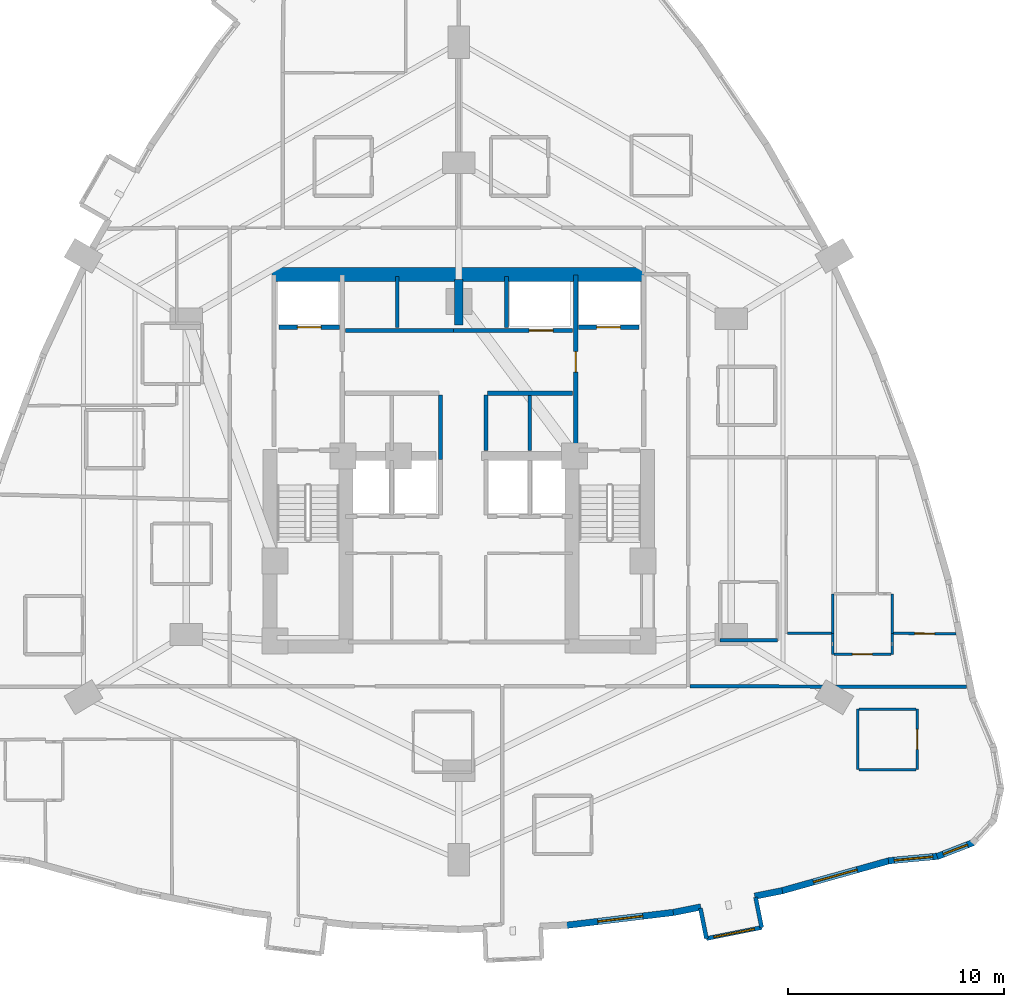
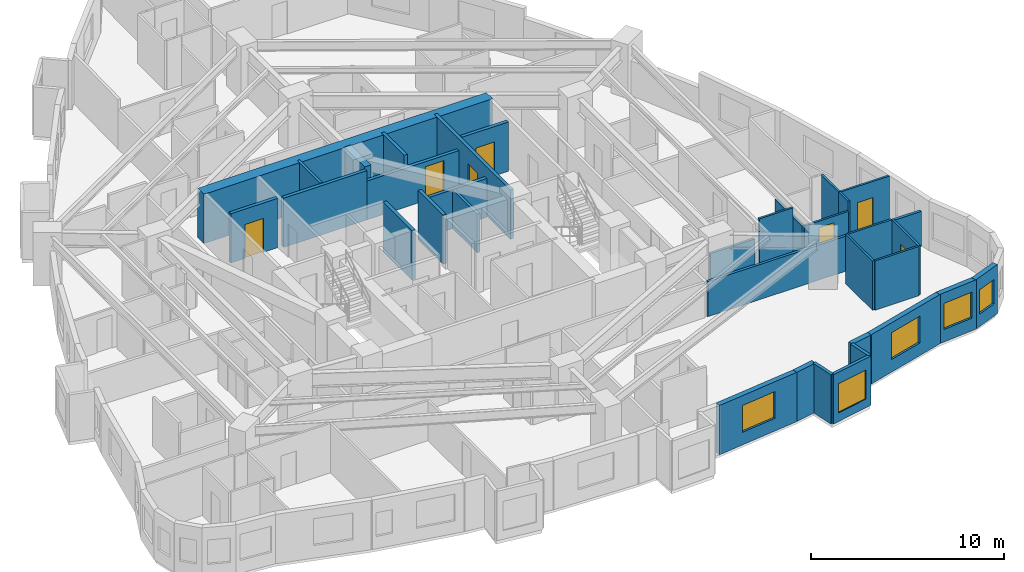
# One storey, part 11 of 15: 35 walls, 7 doors, 5 windows, 12 openings.
"""IFC4 building model written with IfcOpenShell, lengths in metres."""

from ifc_helpers import new_model, si_unit, direction, frame, frame_2d, origin, place, context, subcontext, project, spatial, rectangle, extrude, material, layer, layer_set, type_object, element, fill, save


model = new_model("IFC4")

# Units and contexts
model_context = context("Model", 3, precision=1e-05, world=origin(), true_north=direction((0.0, 1.0)))
body_context = subcontext(model_context, "Body", "Model", "MODEL_VIEW")
ifc_project = project(units=[si_unit("LENGTHUNIT", "METRE"), si_unit("AREAUNIT", "SQUARE_METRE"), si_unit("VOLUMEUNIT", "CUBIC_METRE"), si_unit("PLANEANGLEUNIT", "RADIAN"), si_unit("MASSUNIT", "GRAM", prefix="KILO")], contexts=[model_context])

# Site, building, storey
site_placement = place(None, origin())
site = spatial("IfcSite", under=ifc_project, at=site_placement, CompositionType="ELEMENT")
building_placement = place(site_placement, origin())
building = spatial("IfcBuilding", under=site, at=building_placement, Name="Miruveldt Soraemaru", CompositionType="ELEMENT")
storey_placement = place(building_placement, frame((0.0, 0.0, 36.0)))
storey = spatial("IfcBuildingStorey", under=building, at=storey_placement, Name="L09", CompositionType="ELEMENT", Elevation=36.0)

# Walls
ifc_material_1 = material(Name="White powder-coated aluminium EN AW-6060 T6", Category="aluminium")
ifc_layer_1 = layer(ifc_material_1, 0.18994140625, Name="White powder-coated aluminium EN AW-6060 T6", Category="aluminium")
ifc_layer_set_1 = layer_set([ifc_layer_1], Name="White powder-coated aluminium EN AW-6060 T6")
wall_type_1 = type_object("IfcWallType", Name="WALL-BAY-ALU190", PredefinedType="SOLIDWALL", material=ifc_layer_set_1)
for number, where, z_axis, x_axis, name in (
    (1, (55.166748046875, 23.139404296875, 0.0), (0.0, 0.0, 1.0), (0.195984352603, -0.980607022989, 0.0), "L09 Bay Window Side Cheek 6L"),
    (2, (57.99560546875, 22.251708984375, 0.0), (0.0, 0.0, 1.0), (-0.195984352603, 0.980607022989, 0.0), "L09 Bay Window Side Cheek 6R"),
):
    element("IfcWall", number, at=place(storey_placement, frame(where, z_axis=z_axis, x_axis=x_axis)), inside=storey, type_object=wall_type_1, Name=name, PredefinedType="SOLIDWALL", context=body_context, shape_type="SweptSolid", body=[
        extrude(rectangle(XDim=1.425048828125, YDim=0.18994140625, at=frame_2d((0.71240234375, 0.0))), origin(), (0.0, 0.0, 1.0), 3.125),
    ])

# Wall, opening, window
wall_1_placement = place(storey_placement, frame((55.446044921875, 21.741943359375, 0.0), z_axis=(0.0, 0.0, 1.0), x_axis=(0.980591508741, 0.196061962104, 0.0)))
wall_1 = element("IfcWall", 3, at=wall_1_placement, inside=storey, type_object=wall_type_1, Name="L09 Bay Window Front Frame 6", PredefinedType="SOLIDWALL", context=body_context, shape_type="SweptSolid", body=[
    extrude(rectangle(XDim=2.60009765625, YDim=0.18994140625, at=frame_2d((1.300048828125, 0.0))), origin(), (0.0, 0.0, 1.0), 3.125),
])
opening_1_placement = place(wall_1_placement, frame((0.35009765625, 0.0, 0.550048828125)))
opening_1 = element("IfcOpeningElement", 4, at=opening_1_placement, cuts=wall_1, Name="Opening WN-6", PredefinedType="OPENING", context=body_context, shape_type="SweptSolid", body=[
    extrude(rectangle(XDim=1.89990234375, YDim=1.85009765625, at=frame_2d((0.949951171875, 0.925048828125))), frame((0.0, 0.10498046875, 0.0), z_axis=(0.0, -1.0, 0.0), x_axis=(1.0, 0.0, 0.0)), (0.0, 0.0, 1.0), 0.2099609375),
])
ifc_material_2 = material(Name="Triple low-e insulated glazing", Category="glass")
window_type_1 = type_object("IfcWindowType", Name="WIN-BAYW-1900x1850", PartitioningType="SINGLE_PANEL", PredefinedType="WINDOW", material=ifc_material_2)
window_1_placement = place(opening_1_placement, origin())
window_1 = element("IfcWindow", 5, at=window_1_placement, inside=storey, type_object=window_type_1, Name="L09 Projecting Bay Window 6", OverallHeight=1.85009765625, OverallWidth=1.89990234375, PartitioningType="SINGLE_PANEL", PredefinedType="WINDOW", context=body_context, shape_type="SweptSolid", body=[
    extrude(rectangle(XDim=1.89990234375, YDim=1.85009765625, at=frame_2d((0.949951171875, 0.925048828125))), frame((0.0, 0.030029296875, 0.0), z_axis=(0.0, -1.0, 0.0), x_axis=(1.0, 0.0, 0.0)), (0.0, 0.0, 1.0), 0.06005859375),
])
fill(opening_1, window_1)

# Walls
ifc_material_3 = material(Name="Concrete C70/85 (70 MPa)", Category="concrete")
ifc_layer_2 = layer(ifc_material_3, 0.5, Name="Concrete C70/85 (70 MPa)", Category="concrete")
ifc_layer_set_2 = layer_set([ifc_layer_2], Name="Concrete C70/85 (70 MPa)")
wall_type_2 = type_object("IfcWallType", Name="WALL-BW-500", PredefinedType="SHEAR", material=ifc_layer_set_2)
wall_2_placement = place(storey_placement, frame((44.0, 50.10009765625, 0.0), z_axis=(0.0, 0.0, 1.0), x_axis=(0.0, 1.0, 0.0)))
element("IfcWall", 6, at=wall_2_placement, inside=storey, type_object=wall_type_2, Name="L09 Core Buttress Shear Wall BN", PredefinedType="SHEAR", context=body_context, shape_type="SweptSolid", body=[
    extrude(rectangle(XDim=2.099853515625, YDim=0.39990234375, at=frame_2d((1.0498046875, 0.0))), origin(), (0.0, 0.0, 1.0), 3.125),
])
ifc_material_4 = material(Name="Concrete C80/95 (80 MPa)", Category="concrete")
ifc_layer_3 = layer(ifc_material_4, 0.64990234375, Name="Concrete C80/95 (80 MPa)", Category="concrete")
ifc_layer_set_3 = layer_set([ifc_layer_3], Name="Concrete C80/95 (80 MPa)")
wall_type_3 = type_object("IfcWallType", Name="WALL-CW-650", PredefinedType="SHEAR", material=ifc_layer_set_3)
wall_3_placement = place(storey_placement, frame((35.35009765625, 52.449951171875, 0.0), z_axis=(0.0, 0.0, 1.0), x_axis=(1.0, 0.0, 0.0)))
element("IfcWall", 7, at=wall_3_placement, inside=storey, type_object=wall_type_3, Name="L09 Central Core Shear Wall N", PredefinedType="SHEAR", context=body_context, shape_type="SweptSolid", body=[
    extrude(rectangle(XDim=17.2998046875, YDim=0.64990234375, at=frame_2d((8.64990234375, 0.0))), origin(), (0.0, 0.0, 1.0), 3.125),
])

# Wall, opening, window
ifc_material_5 = material(Name="Precast concrete C45/55 (45 MPa)", Category="concrete")
ifc_layer_4 = layer(ifc_material_5, 0.300048828125, Name="Precast concrete C45/55 (45 MPa)", Category="concrete")
ifc_layer_set_4 = layer_set([ifc_layer_4], Name="Precast concrete C45/55 (45 MPa)")
wall_type_4 = type_object("IfcWallType", Name="WALL-EXT-PC300", PredefinedType="SOLIDWALL", material=ifc_layer_set_4)
wall_4_placement = place(storey_placement, frame((48.9375, 22.35009765625, 0.0), z_axis=(0.0, 0.0, 1.0), x_axis=(0.992877520979, 0.119139533049, 0.0)))
wall_4 = element("IfcWall", 8, at=wall_4_placement, inside=storey, type_object=wall_type_4, Name="L09 Precast Concrete Facade Wall 26", PredefinedType="SOLIDWALL", context=body_context, shape_type="SweptSolid", body=[
    extrude(rectangle(XDim=5.077880859375, YDim=0.300048828125, at=frame_2d((2.5390625, 0.0))), origin(), (0.0, 0.0, 1.0), 3.125),
])
opening_2_placement = place(wall_4_placement, frame((1.489013671875, 0.0, 0.800048828125)))
opening_2 = element("IfcOpeningElement", 9, at=opening_2_placement, cuts=wall_4, Name="Opening WN-1", PredefinedType="OPENING", context=body_context, shape_type="SweptSolid", body=[
    extrude(rectangle(XDim=2.10009765625, YDim=1.699951171875, at=frame_2d((1.050048828125, 0.85009765625))), frame((0.0, 0.16015625, 0.0), z_axis=(0.0, -1.0, 0.0), x_axis=(1.0, 0.0, 0.0)), (0.0, 0.0, 1.0), 0.320068359375),
])
window_type_2 = type_object("IfcWindowType", Name="WIN-PUNCH-2100x1700", PartitioningType="SINGLE_PANEL", PredefinedType="WINDOW", material=ifc_material_2)
window_2_placement = place(opening_2_placement, origin())
window_2 = element("IfcWindow", 10, at=window_2_placement, inside=storey, type_object=window_type_2, Name="L09 Punched Triple-Glazed Window 26.1", OverallHeight=1.699951171875, OverallWidth=2.10009765625, PartitioningType="SINGLE_PANEL", PredefinedType="WINDOW", context=body_context, shape_type="SweptSolid", body=[
    extrude(rectangle(XDim=2.10009765625, YDim=1.699951171875, at=frame_2d((1.050048828125, 0.85009765625))), frame((0.0, 0.030029296875, 0.0), z_axis=(0.0, -1.0, 0.0), x_axis=(1.0, 0.0, 0.0)), (0.0, 0.0, 1.0), 0.06005859375),
])
fill(opening_2, window_2)

# Walls
for number, where, z_axis, x_axis, name in (
    (11, (53.91015625, 22.944091796875, 0.0), (0.0, 0.0, 1.0), (0.980566231491, 0.196188342314, 0.0), "L09 Precast Pier Wall 27A"),
    (12, (57.676025390625, 23.697265625, 0.0), (0.0, 0.0, 1.0), (0.980566231491, 0.196188342314, 0.0), "L09 Precast Pier Wall 27B"),
):
    element("IfcWall", number, at=place(storey_placement, frame(where, z_axis=z_axis, x_axis=x_axis)), inside=storey, type_object=wall_type_4, Name=name, PredefinedType="SOLIDWALL", context=body_context, shape_type="SweptSolid", body=[
        extrude(rectangle(XDim=1.300537109375, YDim=0.300048828125, at=frame_2d((0.650390625, 0.0))), origin(), (0.0, 0.0, 1.0), 3.125),
    ])

# Wall, opening, window
wall_5_placement = place(storey_placement, frame((58.883056640625, 23.93603515625, 0.0), z_axis=(0.0, 0.0, 1.0), x_axis=(0.962961112649, 0.269640307679, 0.0)))
wall_5 = element("IfcWall", 13, at=wall_5_placement, inside=storey, type_object=wall_type_4, Name="L09 Precast Concrete Facade Wall 28", PredefinedType="SOLIDWALL", context=body_context, shape_type="SweptSolid", body=[
    extrude(rectangle(XDim=5.2333984375, YDim=0.300048828125, at=frame_2d((2.61669921875, 0.0))), origin(), (0.0, 0.0, 1.0), 3.125),
])
opening_3_placement = place(wall_5_placement, frame((1.56591796875, 0.0, 0.800048828125)))
opening_3 = element("IfcOpeningElement", 14, at=opening_3_placement, cuts=wall_5, Name="Opening WN-1", PredefinedType="OPENING", context=body_context, shape_type="SweptSolid", body=[
    extrude(rectangle(XDim=2.10009765625, YDim=1.699951171875, at=frame_2d((1.050048828125, 0.85009765625))), frame((0.0, 0.16015625, 0.0), z_axis=(0.0, -1.0, 0.0), x_axis=(1.0, 0.0, 0.0)), (0.0, 0.0, 1.0), 0.320068359375),
])
window_3_placement = place(opening_3_placement, origin())
window_3 = element("IfcWindow", 15, at=window_3_placement, inside=storey, type_object=window_type_2, Name="L09 Punched Triple-Glazed Window 28.1", OverallHeight=1.699951171875, OverallWidth=2.10009765625, PartitioningType="SINGLE_PANEL", PredefinedType="WINDOW", context=body_context, shape_type="SweptSolid", body=[
    extrude(rectangle(XDim=2.10009765625, YDim=1.699951171875, at=frame_2d((1.050048828125, 0.85009765625))), frame((0.0, 0.030029296875, 0.0), z_axis=(0.0, -1.0, 0.0), x_axis=(1.0, 0.0, 0.0)), (0.0, 0.0, 1.0), 0.06005859375),
])
fill(opening_3, window_3)

wall_6_placement = place(storey_placement, frame((63.85400390625, 25.33447265625, 0.0), z_axis=(0.0, 0.0, 1.0), x_axis=(0.995760200103, 0.09198708546, 0.0)))
wall_6 = element("IfcWall", 16, at=wall_6_placement, inside=storey, type_object=wall_type_4, Name="L09 Precast Concrete Facade Wall 29", PredefinedType="SOLIDWALL", context=body_context, shape_type="SweptSolid", body=[
    extrude(rectangle(XDim=2.335693359375, YDim=0.300048828125, at=frame_2d((1.16796875, 0.0))), origin(), (0.0, 0.0, 1.0), 3.125),
])
opening_4_placement = place(wall_6_placement, frame((0.26806640625, 0.0, 0.800048828125)))
opening_4 = element("IfcOpeningElement", 17, at=opening_4_placement, cuts=wall_6, Name="Opening WN-2", PredefinedType="OPENING", context=body_context, shape_type="SweptSolid", body=[
    extrude(rectangle(XDim=1.800048828125, YDim=1.64990234375, at=frame_2d((0.89990234375, 0.824951171875))), frame((0.0, 0.16015625, 0.0), z_axis=(0.0, -1.0, 0.0), x_axis=(1.0, 0.0, 0.0)), (0.0, 0.0, 1.0), 0.320068359375),
])
window_type_3 = type_object("IfcWindowType", Name="WIN-PUNCH-1800x1650", PartitioningType="SINGLE_PANEL", PredefinedType="WINDOW", material=ifc_material_2)
window_4_placement = place(opening_4_placement, origin())
window_4 = element("IfcWindow", 18, at=window_4_placement, inside=storey, type_object=window_type_3, Name="L09 Punched Triple-Glazed Window 29.1", OverallHeight=1.64990234375, OverallWidth=1.800048828125, PartitioningType="SINGLE_PANEL", PredefinedType="WINDOW", context=body_context, shape_type="SweptSolid", body=[
    extrude(rectangle(XDim=1.800048828125, YDim=1.64990234375, at=frame_2d((0.89990234375, 0.824951171875))), frame((0.0, 0.030029296875, 0.0), z_axis=(0.0, -1.0, 0.0), x_axis=(1.0, 0.0, 0.0)), (0.0, 0.0, 1.0), 0.06005859375),
])
fill(opening_4, window_4)

wall_7_placement = place(storey_placement, frame((66.1123046875, 25.533447265625, 0.0), z_axis=(0.0, 0.0, 1.0), x_axis=(0.932256673609, 0.361797587763, 0.0)))
wall_7 = element("IfcWall", 19, at=wall_7_placement, inside=storey, type_object=wall_type_4, Name="L09 Precast Concrete Facade Wall 30", PredefinedType="SOLIDWALL", context=body_context, shape_type="SweptSolid", body=[
    extrude(rectangle(XDim=1.79833984375, YDim=0.300048828125, at=frame_2d((0.899169921875, 0.0))), origin(), (0.0, 0.0, 1.0), 3.125),
])
opening_5_placement = place(wall_7_placement, frame((0.299072265625, 0.0, 0.780029296875)))
opening_5 = element("IfcOpeningElement", 20, at=opening_5_placement, cuts=wall_7, Name="Opening WN-4", PredefinedType="OPENING", context=body_context, shape_type="SweptSolid", body=[
    extrude(rectangle(XDim=1.199951171875, YDim=1.550048828125, at=frame_2d((0.60009765625, 0.77490234375))), frame((0.0, 0.16015625, 0.0), z_axis=(0.0, -1.0, 0.0), x_axis=(1.0, 0.0, 0.0)), (0.0, 0.0, 1.0), 0.320068359375),
])
window_type_4 = type_object("IfcWindowType", Name="WIN-PUNCH-1200x1550", PartitioningType="SINGLE_PANEL", PredefinedType="WINDOW", material=ifc_material_2)
window_5_placement = place(opening_5_placement, origin())
window_5 = element("IfcWindow", 21, at=window_5_placement, inside=storey, type_object=window_type_4, Name="L09 Punched Triple-Glazed Window 30.1", OverallHeight=1.550048828125, OverallWidth=1.199951171875, PartitioningType="SINGLE_PANEL", PredefinedType="WINDOW", context=body_context, shape_type="SweptSolid", body=[
    extrude(rectangle(XDim=1.199951171875, YDim=1.550048828125, at=frame_2d((0.60009765625, 0.77490234375))), frame((0.0, 0.030029296875, 0.0), z_axis=(0.0, -1.0, 0.0), x_axis=(1.0, 0.0, 0.0)), (0.0, 0.0, 1.0), 0.06005859375),
])
fill(opening_5, window_5)

# Wall, opening, door
ifc_material_6 = material(Name="Gypsum plasterboard lining", Category="gypsum")
ifc_layer_5 = layer(ifc_material_6, 0.1201171875, Name="Gypsum plasterboard lining", Category="gypsum")
ifc_layer_set_5 = layer_set([ifc_layer_5], Name="Gypsum plasterboard lining")
wall_type_5 = type_object("IfcWallType", Name="WALL-INT-P120", PredefinedType="PARTITIONING", material=ifc_layer_set_5)
wall_8_placement = place(storey_placement, frame((66.971923828125, 35.8330078125, 0.0), z_axis=(0.0, 0.0, 1.0), x_axis=(-0.999982416868, 0.005930088883, 0.0)))
wall_8 = element("IfcWall", 22, at=wall_8_placement, inside=storey, type_object=wall_type_5, Name="L09 Partition Wall 78", PredefinedType="PARTITIONING", context=body_context, shape_type="SweptSolid", body=[
    extrude(rectangle(XDim=2.8818359375, YDim=0.1201171875, at=frame_2d((1.44091796875, 0.0))), origin(), (0.0, 0.0, 1.0), 3.125),
])
opening_6_placement = place(wall_8_placement, frame((0.98095703125, 0.0, 0.0)))
opening_6 = element("IfcOpeningElement", 23, at=opening_6_placement, cuts=wall_8, Name="Opening D3A", PredefinedType="OPENING", context=body_context, shape_type="SweptSolid", body=[
    extrude(rectangle(XDim=0.919921875, YDim=2.10009765625, at=frame_2d((0.4599609375, 1.050048828125))), frame((0.0, 0.070068359375, 0.0), z_axis=(0.0, -1.0, 0.0), x_axis=(1.0, 0.0, 0.0)), (0.0, 0.0, 1.0), 0.14013671875),
])
ifc_material_7 = material(Name="Anodised aluminium EN AW-6063 T6", Category="aluminium")
door_type_1 = type_object("IfcDoorType", Name="DOOR-INT-920", OperationType="NOTDEFINED", PredefinedType="DOOR", material=ifc_material_7)
door_1_placement = place(opening_6_placement, origin())
door_1 = element("IfcDoor", 24, at=door_1_placement, inside=storey, type_object=door_type_1, Name="L09 Unit 0907 BD2 Door", OperationType="SINGLE_SWING_LEFT", OverallHeight=2.10009765625, OverallWidth=0.919921875, PredefinedType="DOOR", context=body_context, shape_type="SweptSolid", body=[
    extrude(rectangle(XDim=0.919921875, YDim=2.10009765625, at=frame_2d((0.4599609375, 1.050048828125))), frame((0.0, 0.02490234375, 0.0), z_axis=(0.0, -1.0, 0.0), x_axis=(1.0, 0.0, 0.0)), (0.0, 0.0, 1.0), 0.050048828125),
])
fill(opening_6, door_1)

wall_9_placement = place(storey_placement, frame((65.179931640625, 29.548095703125, 0.0), z_axis=(0.0, 0.0, 1.0), x_axis=(0.0, 1.0, 0.0)))
wall_9 = element("IfcWall", 25, at=wall_9_placement, inside=storey, type_object=wall_type_5, Name="L09 Partition Wall 103", PredefinedType="PARTITIONING", context=body_context, shape_type="SweptSolid", body=[
    extrude(rectangle(XDim=2.7998046875, YDim=0.1201171875, at=frame_2d((1.39990234375, 0.0))), origin(), (0.0, 0.0, 1.0), 3.125),
])
opening_7_placement = place(wall_9_placement, frame((0.93994140625, 0.0, 0.0)))
opening_7 = element("IfcOpeningElement", 26, at=opening_7_placement, cuts=wall_9, Name="Opening D3A", PredefinedType="OPENING", context=body_context, shape_type="SweptSolid", body=[
    extrude(rectangle(XDim=0.919921875, YDim=2.10009765625, at=frame_2d((0.4599609375, 1.050048828125))), frame((0.0, 0.070068359375, 0.0), z_axis=(0.0, -1.0, 0.0), x_axis=(1.0, 0.0, 0.0)), (0.0, 0.0, 1.0), 0.14013671875),
])
door_2_placement = place(opening_7_placement, origin())
door_2 = element("IfcDoor", 27, at=door_2_placement, inside=storey, type_object=door_type_1, Name="L09 Unit CL09 KIT Door", OperationType="SINGLE_SWING_LEFT", OverallHeight=2.10009765625, OverallWidth=0.919921875, PredefinedType="DOOR", context=body_context, shape_type="SweptSolid", body=[
    extrude(rectangle(XDim=0.919921875, YDim=2.10009765625, at=frame_2d((0.4599609375, 1.050048828125))), frame((0.0, 0.02490234375, 0.0), z_axis=(0.0, -1.0, 0.0), x_axis=(1.0, 0.0, 0.0)), (0.0, 0.0, 1.0), 0.050048828125),
])
fill(opening_7, door_2)

wall_10_placement = place(storey_placement, frame((61.340087890625, 34.8798828125, 0.0), z_axis=(0.0, 0.0, 1.0), x_axis=(1.0, 0.0, 0.0)))
wall_10 = element("IfcWall", 28, at=wall_10_placement, inside=storey, type_object=wall_type_5, Name="L09 Partition Wall 75", PredefinedType="PARTITIONING", context=body_context, shape_type="SweptSolid", body=[
    extrude(rectangle(XDim=2.6298828125, YDim=0.1201171875, at=frame_2d((1.31494140625, 0.0))), origin(), (0.0, 0.0, 1.0), 2.512939453125),
])
opening_8_placement = place(wall_10_placement, frame((0.85498046875, 0.0, 0.0)))
opening_8 = element("IfcOpeningElement", 29, at=opening_8_placement, cuts=wall_10, Name="Opening D3A", PredefinedType="OPENING", context=body_context, shape_type="SweptSolid", body=[
    extrude(rectangle(XDim=0.919921875, YDim=2.10009765625, at=frame_2d((0.4599609375, 1.050048828125))), frame((0.0, 0.070068359375, 0.0), z_axis=(0.0, -1.0, 0.0), x_axis=(1.0, 0.0, 0.0)), (0.0, 0.0, 1.0), 0.14013671875),
])
door_3_placement = place(opening_8_placement, origin())
door_3 = element("IfcDoor", 30, at=door_3_placement, inside=storey, type_object=door_type_1, Name="L09 Unit 0907 KIT Door", OperationType="SINGLE_SWING_LEFT", OverallHeight=2.10009765625, OverallWidth=0.919921875, PredefinedType="DOOR", context=body_context, shape_type="SweptSolid", body=[
    extrude(rectangle(XDim=0.919921875, YDim=2.10009765625, at=frame_2d((0.4599609375, 1.050048828125))), frame((0.0, 0.02490234375, 0.0), z_axis=(0.0, -1.0, 0.0), x_axis=(1.0, 0.0, 0.0)), (0.0, 0.0, 1.0), 0.050048828125),
])
fill(opening_8, door_3)

# Walls
wall_11_placement = place(storey_placement, frame((62.429931640625, 32.347900390625, 0.0), z_axis=(0.0, 0.0, 1.0), x_axis=(0.0, -1.0, 0.0)))
element("IfcWall", 31, at=wall_11_placement, inside=storey, type_object=wall_type_5, Name="L09 Partition Wall 105", PredefinedType="PARTITIONING", context=body_context, shape_type="SweptSolid", body=[
    extrude(rectangle(XDim=2.7998046875, YDim=0.1201171875, at=frame_2d((1.39990234375, 0.0))), origin(), (0.0, 0.0, 1.0), 3.125),
])
for number, where, z_axis, x_axis, name in (
    (32, (65.1201171875, 32.347900390625, 0.0), (0.0, 0.0, 1.0), (-1.0, 0.0, 0.0), "L09 Partition Wall 104"),
    (33, (62.489990234375, 29.548095703125, 0.0), (0.0, 0.0, 1.0), (1.0, 0.0, 0.0), "L09 Partition Wall 106"),
):
    element("IfcWall", number, at=place(storey_placement, frame(where, z_axis=z_axis, x_axis=x_axis)), inside=storey, type_object=wall_type_5, Name=name, PredefinedType="PARTITIONING", context=body_context, shape_type="SweptSolid", body=[
        extrude(rectangle(XDim=2.630126953125, YDim=0.1201171875, at=frame_2d((1.31494140625, 0.0))), origin(), (0.0, 0.0, 1.0), 3.125),
    ])
wall_12_placement = place(storey_placement, frame((61.219970703125, 35.85009765625, 0.0), z_axis=(0.0, 0.0, 1.0), x_axis=(-1.0, 0.0, 0.0)))
element("IfcWall", 34, at=wall_12_placement, inside=storey, type_object=wall_type_5, Name="L09 Partition Wall 76", PredefinedType="PARTITIONING", context=body_context, shape_type="SweptSolid", body=[
    extrude(rectangle(XDim=2.02392578125, YDim=0.1201171875, at=frame_2d((1.011962890625, 0.0))), origin(), (0.0, 0.0, 1.0), 3.125),
])
wall_13_placement = place(storey_placement, frame((61.280029296875, 37.679931640625, 0.0), z_axis=(0.0, 0.0, 1.0), x_axis=(0.0, -1.0, 0.0)))
element("IfcWall", 35, at=wall_13_placement, inside=storey, type_object=wall_type_5, Name="L09 Partition Wall 81", PredefinedType="PARTITIONING", context=body_context, shape_type="SweptSolid", body=[
    extrude(rectangle(XDim=1.829833984375, YDim=0.1201171875, at=frame_2d((0.9150390625, 0.0))), origin(), (0.0, 0.0, 1.0), 2.512939453125),
])
wall_14_placement = place(storey_placement, frame((64.030029296875, 35.85009765625, 0.0), z_axis=(0.0, 0.0, 1.0), x_axis=(0.0, 1.0, 0.0)))
element("IfcWall", 36, at=wall_14_placement, inside=storey, type_object=wall_type_5, Name="L09 Partition Wall 82", PredefinedType="PARTITIONING", context=body_context, shape_type="SweptSolid", body=[
    extrude(rectangle(XDim=1.829833984375, YDim=0.1201171875, at=frame_2d((0.9150390625, 0.0))), origin(), (0.0, 0.0, 1.0), 3.125),
])
wall_15_placement = place(storey_placement, frame((64.030029296875, 34.8798828125, 0.0), z_axis=(0.0, 0.0, 1.0), x_axis=(0.0, 1.0, 0.0)))
element("IfcWall", 37, at=wall_15_placement, inside=storey, type_object=wall_type_5, Name="L09 Partition Wall 73", PredefinedType="PARTITIONING", context=body_context, shape_type="SweptSolid", body=[
    extrude(rectangle(XDim=0.97021484375, YDim=0.1201171875, at=frame_2d((0.485107421875, 0.0))), origin(), (0.0, 0.0, 1.0), 3.125),
])
wall_16_placement = place(storey_placement, frame((61.280029296875, 35.85009765625, 0.0), z_axis=(0.0, 0.0, 1.0), x_axis=(0.0, -1.0, 0.0)))
element("IfcWall", 38, at=wall_16_placement, inside=storey, type_object=wall_type_5, Name="L09 Partition Wall 74", PredefinedType="PARTITIONING", context=body_context, shape_type="SweptSolid", body=[
    extrude(rectangle(XDim=0.97021484375, YDim=0.1201171875, at=frame_2d((0.485107421875, 0.0))), origin(), (0.0, 0.0, 1.0), 2.512939453125),
])
ifc_layer_6 = layer(ifc_material_6, 0.14990234375, Name="Gypsum plasterboard lining", Category="gypsum")
ifc_layer_set_6 = layer_set([ifc_layer_6], Name="Gypsum plasterboard lining")
wall_type_6 = type_object("IfcWallType", Name="WALL-INT-PLUMB", PredefinedType="PLUMBINGWALL", material=ifc_layer_set_6)
wall_17_placement = place(storey_placement, frame((56.080078125, 35.530029296875, 0.0), z_axis=(0.0, 0.0, 1.0), x_axis=(1.0, 0.0, 0.0)))
element("IfcWall", 39, at=wall_17_placement, inside=storey, type_object=wall_type_6, Name="L09 Partition Wall 72", PredefinedType="PLUMBINGWALL", context=body_context, shape_type="SweptSolid", body=[
    extrude(rectangle(XDim=2.64990234375, YDim=0.14990234375, at=frame_2d((1.324951171875, 0.0))), origin(), (0.0, 0.0, 1.0), 2.219970703125),
])
ifc_material_8 = material(Name="Concrete C40/50 (40 MPa)", Category="concrete")
ifc_layer_7 = layer(ifc_material_8, 0.159912109375, Name="Concrete C40/50 (40 MPa)", Category="concrete")
ifc_layer_set_7 = layer_set([ifc_layer_7], Name="Concrete C40/50 (40 MPa)")
wall_type_7 = type_object("IfcWallType", Name="WALL-INT-RC160", PredefinedType="SOLIDWALL", material=ifc_layer_set_7)
wall_18_placement = place(storey_placement, frame((54.679931640625, 33.39990234375, 0.0), z_axis=(0.0, 0.0, 1.0), x_axis=(0.999999133458, -0.001316466148, 0.0)))
element("IfcWall", 40, at=wall_18_placement, inside=storey, type_object=wall_type_7, Name="L09 Partition Wall 79", PredefinedType="SOLIDWALL", context=body_context, shape_type="SweptSolid", body=[
    extrude(rectangle(XDim=12.796142578125, YDim=0.159912109375, at=frame_2d((6.39794921875, 0.0))), origin(), (0.0, 0.0, 1.0), 2.219970703125),
])
wall_19_placement = place(storey_placement, frame((47.280029296875, 44.300048828125, 0.0), z_axis=(0.0, 0.0, 1.0), x_axis=(0.0, 1.0, 0.0)))
element("IfcWall", 41, at=wall_19_placement, inside=storey, type_object=wall_type_7, Name="L09 Core Compartment Wall PLM-DE", PredefinedType="SOLIDWALL", context=body_context, shape_type="SweptSolid", body=[
    extrude(rectangle(XDim=2.550048828125, YDim=0.159912109375, at=frame_2d((1.27490234375, 0.0))), origin(), (0.0, 0.0, 1.0), 2.462890625),
])
wall_20_placement = place(storey_placement, frame((41.14990234375, 49.97998046875, 0.0), z_axis=(0.0, 0.0, 1.0), x_axis=(0.0, 1.0, 0.0)))
element("IfcWall", 42, at=wall_20_placement, inside=storey, type_object=wall_type_7, Name="L09 Core Compartment Wall PLH-DIV1", PredefinedType="SOLIDWALL", context=body_context, shape_type="SweptSolid", body=[
    extrude(rectangle(XDim=2.3701171875, YDim=0.159912109375, at=frame_2d((1.18505859375, 0.0))), origin(), (0.0, 0.0, 1.0), 3.125),
])

# Wall, opening, door
ifc_layer_8 = layer(ifc_material_8, 0.199951171875, Name="Concrete C40/50 (40 MPa)", Category="concrete")
ifc_layer_set_8 = layer_set([ifc_layer_8], Name="Concrete C40/50 (40 MPa)")
wall_type_8 = type_object("IfcWallType", Name="WALL-INT-RC200", PredefinedType="SOLIDWALL", material=ifc_layer_set_8)
wall_21_placement = place(storey_placement, frame((49.39990234375, 44.5, 0.0), z_axis=(0.0, 0.0, 1.0), x_axis=(0.0, 1.0, 0.0)))
wall_21 = element("IfcWall", 43, at=wall_21_placement, inside=storey, type_object=wall_type_8, Name="L09 Core Compartment Wall FFE-IN", PredefinedType="SOLIDWALL", context=body_context, shape_type="SweptSolid", body=[
    extrude(rectangle(XDim=7.919921875, YDim=0.199951171875, at=frame_2d((3.9599609375, 0.0))), origin(), (0.0, 0.0, 1.0), 3.125),
])
opening_9_placement = place(wall_21_placement, frame((3.425048828125, 0.0, 0.0)))
opening_9 = element("IfcOpeningElement", 44, at=opening_9_placement, cuts=wall_21, Name="Opening FD2", PredefinedType="OPENING", context=body_context, shape_type="SweptSolid", body=[
    extrude(rectangle(XDim=0.949951171875, YDim=2.14990234375, at=frame_2d((0.47509765625, 1.074951171875))), frame((0.0, 0.10986328125, 0.0), z_axis=(0.0, -1.0, 0.0), x_axis=(1.0, 0.0, 0.0)), (0.0, 0.0, 1.0), 0.219970703125),
])
door_type_2 = type_object("IfcDoorType", Name="DOOR-FD2-950", OperationType="NOTDEFINED", PredefinedType="DOOR", material=ifc_material_7)
door_4_placement = place(opening_9_placement, origin())
door_4 = element("IfcDoor", 45, at=door_4_placement, inside=storey, type_object=door_type_2, Name="L09 Lift Lobby to East Fire Lobby Door", OperationType="SINGLE_SWING_LEFT", OverallHeight=2.14990234375, OverallWidth=0.949951171875, PredefinedType="DOOR", context=body_context, shape_type="SweptSolid", body=[
    extrude(rectangle(XDim=0.949951171875, YDim=2.14990234375, at=frame_2d((0.47509765625, 1.074951171875))), frame((0.0, 0.02490234375, 0.0), z_axis=(0.0, -1.0, 0.0), x_axis=(1.0, 0.0, 0.0)), (0.0, 0.0, 1.0), 0.050048828125),
])
fill(opening_9, door_4)

wall_22_placement = place(storey_placement, frame((43.75, 49.85009765625, 0.0), z_axis=(0.0, 0.0, 1.0), x_axis=(1.0, 0.0, 0.0)))
wall_22 = element("IfcWall", 46, at=wall_22_placement, inside=storey, type_object=wall_type_8, Name="L09 Core Compartment Wall ROWA-SE", PredefinedType="SOLIDWALL", context=body_context, shape_type="SweptSolid", body=[
    extrude(rectangle(XDim=5.5, YDim=0.199951171875, at=frame_2d((2.75, 0.0))), origin(), (0.0, 0.0, 1.0), 2.462890625),
])
opening_10_placement = place(wall_22_placement, frame((3.5, 0.0, 0.0)))
opening_10 = element("IfcOpeningElement", 47, at=opening_10_placement, cuts=wall_22, Name="Opening LD2", PredefinedType="OPENING", context=body_context, shape_type="SweptSolid", body=[
    extrude(rectangle(XDim=1.10009765625, YDim=2.14990234375, at=frame_2d((0.550048828125, 1.074951171875))), frame((0.0, 0.10986328125, 0.0), z_axis=(0.0, -1.0, 0.0), x_axis=(1.0, 0.0, 0.0)), (0.0, 0.0, 1.0), 0.219970703125),
])
door_type_3 = type_object("IfcDoorType", Name="DOOR-LD2-1100", OperationType="SLIDING_TO_LEFT", PredefinedType="DOOR", material=ifc_material_7)
door_5_placement = place(opening_10_placement, origin())
door_5 = element("IfcDoor", 48, at=door_5_placement, inside=storey, type_object=door_type_3, Name="L09 SL-1 Landing Door", OperationType="SLIDING_TO_LEFT", OverallHeight=2.14990234375, OverallWidth=1.10009765625, PredefinedType="DOOR", context=body_context, shape_type="SweptSolid", body=[
    extrude(rectangle(XDim=1.10009765625, YDim=2.14990234375, at=frame_2d((0.550048828125, 1.074951171875))), frame((0.0, 0.02490234375, 0.0), z_axis=(0.0, -1.0, 0.0), x_axis=(1.0, 0.0, 0.0)), (0.0, 0.0, 1.0), 0.050048828125),
])
fill(opening_10, door_5)

wall_23_placement = place(storey_placement, frame((35.679931640625, 50.0, 0.0), z_axis=(0.0, 0.0, 1.0), x_axis=(1.0, 0.0, 0.0)))
wall_23 = element("IfcWall", 49, at=wall_23_placement, inside=storey, type_object=wall_type_8, Name="L09 Core Compartment Wall FFL1-S", PredefinedType="SOLIDWALL", context=body_context, shape_type="SweptSolid", body=[
    extrude(rectangle(XDim=2.800048828125, YDim=0.199951171875, at=frame_2d((1.39990234375, 0.0))), origin(), (0.0, 0.0, 1.0), 3.125),
])
opening_11_placement = place(wall_23_placement, frame((0.85009765625, 0.0, 0.0)))
opening_11 = element("IfcOpeningElement", 50, at=opening_11_placement, cuts=wall_23, Name="Opening LD2", PredefinedType="OPENING", context=body_context, shape_type="SweptSolid", body=[
    extrude(rectangle(XDim=1.10009765625, YDim=2.14990234375, at=frame_2d((0.550048828125, 1.074951171875))), frame((0.0, 0.10986328125, 0.0), z_axis=(0.0, -1.0, 0.0), x_axis=(1.0, 0.0, 0.0)), (0.0, 0.0, 1.0), 0.219970703125),
])
door_6_placement = place(opening_11_placement, origin())
door_6 = element("IfcDoor", 51, at=door_6_placement, inside=storey, type_object=door_type_3, Name="L09 FFL-1 Landing Door", OperationType="SLIDING_TO_LEFT", OverallHeight=2.14990234375, OverallWidth=1.10009765625, PredefinedType="DOOR", context=body_context, shape_type="SweptSolid", body=[
    extrude(rectangle(XDim=1.10009765625, YDim=2.14990234375, at=frame_2d((0.550048828125, 1.074951171875))), frame((0.0, 0.02490234375, 0.0), z_axis=(0.0, -1.0, 0.0), x_axis=(1.0, 0.0, 0.0)), (0.0, 0.0, 1.0), 0.050048828125),
])
fill(opening_11, door_6)

wall_24_placement = place(storey_placement, frame((49.52001953125, 50.0, 0.0), z_axis=(0.0, 0.0, 1.0), x_axis=(1.0, 0.0, 0.0)))
wall_24 = element("IfcWall", 52, at=wall_24_placement, inside=storey, type_object=wall_type_8, Name="L09 Core Compartment Wall FFL2-S", PredefinedType="SOLIDWALL", context=body_context, shape_type="SweptSolid", body=[
    extrude(rectangle(XDim=2.800048828125, YDim=0.199951171875, at=frame_2d((1.39990234375, 0.0))), origin(), (0.0, 0.0, 1.0), 3.125),
])
opening_12_placement = place(wall_24_placement, frame((0.85009765625, 0.0, 0.0)))
opening_12 = element("IfcOpeningElement", 53, at=opening_12_placement, cuts=wall_24, Name="Opening LD2", PredefinedType="OPENING", context=body_context, shape_type="SweptSolid", body=[
    extrude(rectangle(XDim=1.10009765625, YDim=2.14990234375, at=frame_2d((0.550048828125, 1.074951171875))), frame((0.0, 0.10986328125, 0.0), z_axis=(0.0, -1.0, 0.0), x_axis=(1.0, 0.0, 0.0)), (0.0, 0.0, 1.0), 0.219970703125),
])
door_7_placement = place(opening_12_placement, origin())
door_7 = element("IfcDoor", 54, at=door_7_placement, inside=storey, type_object=door_type_3, Name="L09 FFL-2 Landing Door", OperationType="SLIDING_TO_LEFT", OverallHeight=2.14990234375, OverallWidth=1.10009765625, PredefinedType="DOOR", context=body_context, shape_type="SweptSolid", body=[
    extrude(rectangle(XDim=1.10009765625, YDim=2.14990234375, at=frame_2d((0.550048828125, 1.074951171875))), frame((0.0, 0.02490234375, 0.0), z_axis=(0.0, -1.0, 0.0), x_axis=(1.0, 0.0, 0.0)), (0.0, 0.0, 1.0), 0.050048828125),
])
fill(opening_12, door_7)

# Walls
wall_25_placement = place(storey_placement, frame((38.75, 49.85009765625, 0.0), z_axis=(0.0, 0.0, 1.0), x_axis=(1.0, 0.0, 0.0)))
element("IfcWall", 55, at=wall_25_placement, inside=storey, type_object=wall_type_8, Name="L09 Core Compartment Wall ROWA-SW", PredefinedType="SOLIDWALL", context=body_context, shape_type="SweptSolid", body=[
    extrude(rectangle(XDim=5.0, YDim=0.199951171875, at=frame_2d((2.5, 0.0))), origin(), (0.0, 0.0, 1.0), 3.125),
])
wall_26_placement = place(storey_placement, frame((45.320068359375, 46.949951171875, 0.0), z_axis=(0.0, 0.0, 1.0), x_axis=(1.0, 0.0, 0.0)))
element("IfcWall", 56, at=wall_26_placement, inside=storey, type_object=wall_type_8, Name="L09 Core Compartment Wall MBE-N", PredefinedType="SOLIDWALL", context=body_context, shape_type="SweptSolid", body=[
    extrude(rectangle(XDim=3.929931640625, YDim=0.199951171875, at=frame_2d((1.96484375, 0.0))), origin(), (0.0, 0.0, 1.0), 2.462890625),
])
wall_27_placement = place(storey_placement, frame((43.14990234375, 43.8798828125, 0.0), z_axis=(0.0, 0.0, 1.0), x_axis=(0.0, 1.0, 0.0)))
element("IfcWall", 57, at=wall_27_placement, inside=storey, type_object=wall_type_8, Name="L09 Core Compartment Wall SP-WB", PredefinedType="SOLIDWALL", context=body_context, shape_type="SweptSolid", body=[
    extrude(rectangle(XDim=3.0, YDim=0.199951171875, at=frame_2d((1.5, 0.0))), origin(), (0.0, 0.0, 1.0), 3.125),
])
wall_28_placement = place(storey_placement, frame((45.25, 44.300048828125, 0.0), z_axis=(0.0, 0.0, 1.0), x_axis=(0.0, 1.0, 0.0)))
element("IfcWall", 58, at=wall_28_placement, inside=storey, type_object=wall_type_8, Name="L09 Core Compartment Wall SP-EB", PredefinedType="SOLIDWALL", context=body_context, shape_type="SweptSolid", body=[
    extrude(rectangle(XDim=2.579833984375, YDim=0.199951171875, at=frame_2d((1.2900390625, 0.0))), origin(), (0.0, 0.0, 1.0), 3.125),
])
wall_29_placement = place(storey_placement, frame((46.199951171875, 49.97998046875, 0.0), z_axis=(0.0, 0.0, 1.0), x_axis=(0.0, 1.0, 0.0)))
element("IfcWall", 59, at=wall_29_placement, inside=storey, type_object=wall_type_8, Name="L09 Core Compartment Wall PLH-SL-DIV", PredefinedType="SOLIDWALL", context=body_context, shape_type="SweptSolid", body=[
    extrude(rectangle(XDim=2.3701171875, YDim=0.199951171875, at=frame_2d((1.18505859375, 0.0))), origin(), (0.0, 0.0, 1.0), 3.125),
])

save(model, "model.ifc")
